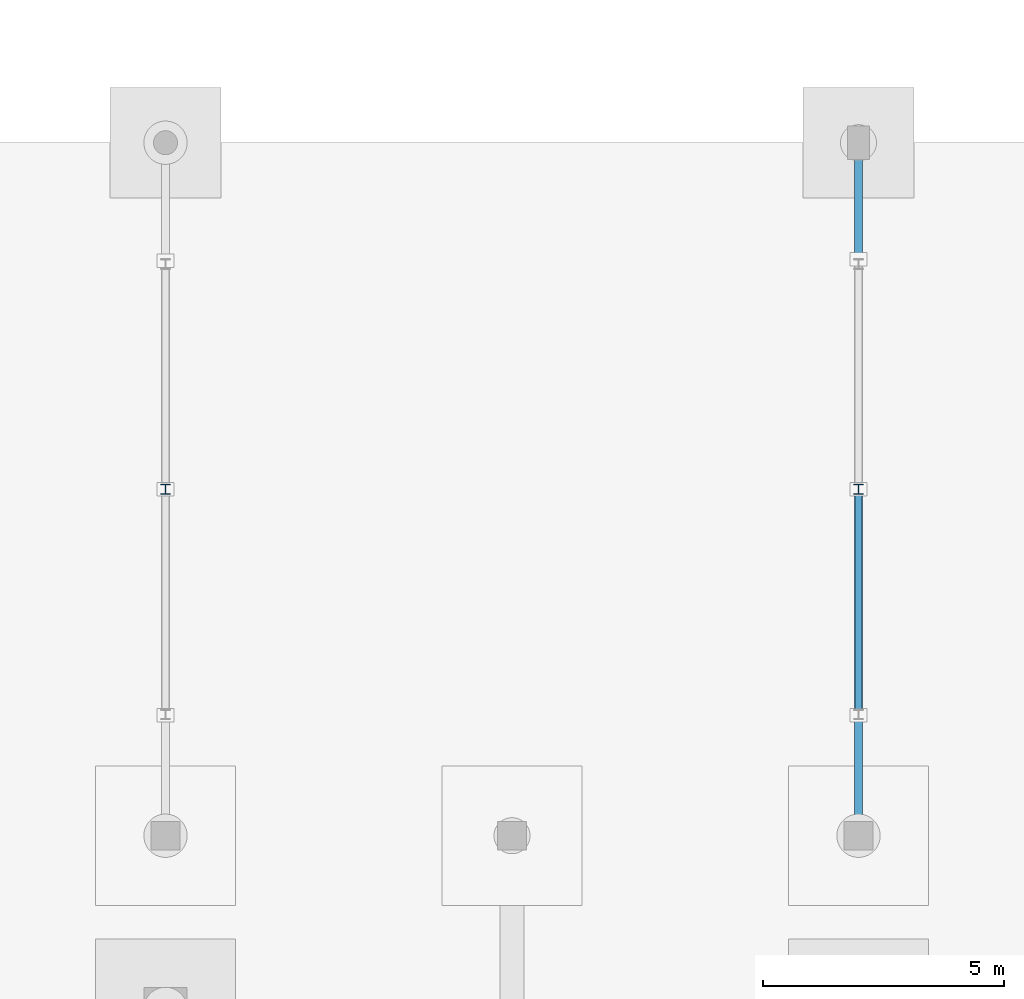
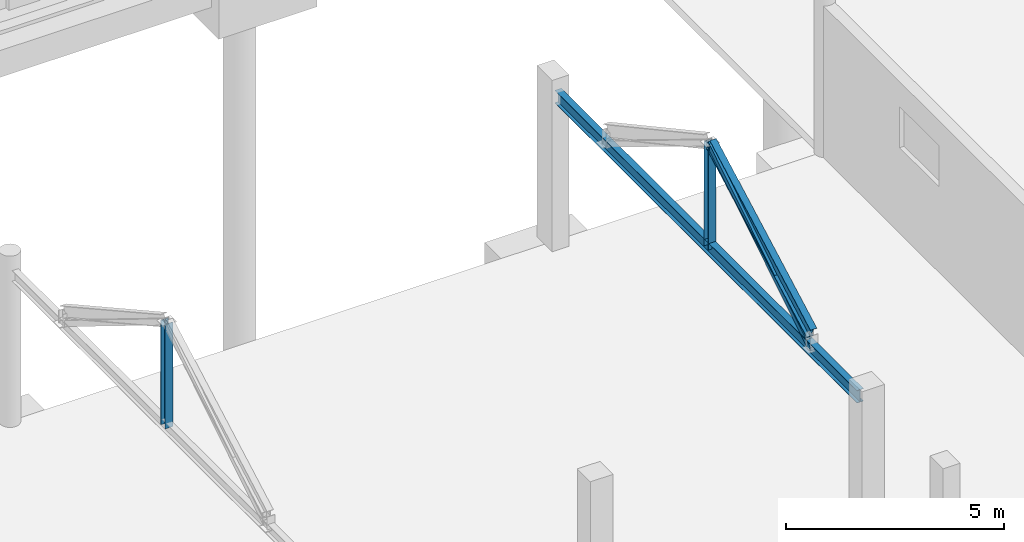
# One storey, part 122 of 285: 3 members, 2 beams.
"""IFC4 building model written with IfcOpenShell, lengths in metres."""

from ifc_helpers import new_model, si_unit, direction, frame, origin, origin_2d, place, context, subcontext, project, spatial, hollow_rectangle, i_section, extrude, material, material_profile, profile_set, type_object, element, save


model = new_model("IFC4")

# Units and contexts
model_context = context("Model", 3, precision=1e-05, world=origin(), true_north=direction((0.0, 1.0)))
body_context = subcontext(model_context, "Body", "Model", "MODEL_VIEW")
ifc_project = project(units=[si_unit("LENGTHUNIT", "METRE"), si_unit("AREAUNIT", "SQUARE_METRE"), si_unit("VOLUMEUNIT", "CUBIC_METRE"), si_unit("PLANEANGLEUNIT", "RADIAN"), si_unit("MASSUNIT", "GRAM", prefix="KILO")], contexts=[model_context])

# Site, building, storey
site_placement = place(None, origin())
site = spatial("IfcSite", under=ifc_project, at=site_placement, CompositionType="ELEMENT")
building_placement = place(site_placement, origin())
building = spatial("IfcBuilding", under=site, at=building_placement, Name="Solanera Park Tramway Depot", CompositionType="ELEMENT")
storey_placement = place(building_placement, origin())
storey = spatial("IfcBuildingStorey", under=building, at=storey_placement, Name="L00", CompositionType="ELEMENT", Elevation=0.0)

# Members
ifc_material_1 = material(Name="Steel AS/NZS 3679.1 Grade 350", Category="steel")
ifc_material_profile_1 = material_profile(ifc_material_1, i_section(OverallWidth=0.205078125, OverallDepth=0.209716796875, WebThickness=0.00927734375, FlangeThickness=0.01416015625, at=origin_2d()), Name="200UC59.5")
ifc_profile_set_1 = profile_set([ifc_material_profile_1], Name="Steel AS/NZS 3679.1 Grade 350")
member_type_1 = type_object("IfcMemberType", Name="Roof Gantry Compression Strut 200UC59.5", PredefinedType="STRUT", material=ifc_profile_set_1)
for number, where, z_axis, x_axis, name in (
    (1, (165.60009765625, 93.60009765625, 4.246337890625), (0.0, 0.0, 1.0), (1.0, 0.0, 0.0), "Hip ROOF TRUSS King Post #0169"),
    (2, (180.0, 93.60009765625, 4.22216796875), (0.0, 0.0, 1.0), (1.0, 0.0, 0.0), "Hip ROOF TRUSS King Post #0172"),
):
    element("IfcMember", number, at=place(storey_placement, frame(where, z_axis=z_axis, x_axis=x_axis)), inside=storey, type_object=member_type_1, Name=name, PredefinedType="STRUT", context=body_context, shape_type="SweptSolid", body=[
        extrude(i_section(OverallWidth=0.205078125, OverallDepth=0.209716796875, WebThickness=0.00927734375, FlangeThickness=0.01416015625, at=origin_2d()), origin(), (0.0, 0.0, 1.0), 2.9287109375),
    ])

# Beams
ifc_material_2 = material(Name="Steel AS/NZS 3679.1 Grade 350", Category="steel")
ifc_material_profile_2 = material_profile(ifc_material_2, i_section(OverallWidth=0.17138671875, OverallDepth=0.355712890625, WebThickness=0.00732421875, FlangeThickness=0.011474609375, at=origin_2d()), Name="360UB50.7")
ifc_profile_set_2 = profile_set([ifc_material_profile_2], Name="Steel AS/NZS 3679.1 Grade 350")
beam_type = type_object("IfcBeamType", Name="Steel Beam 360UB50.7", PredefinedType="BEAM", material=ifc_profile_set_2)
beam_1_placement = place(storey_placement, frame((180.0, 86.699951171875, 4.22216796875), z_axis=(0.0, 1.0, 0.0), x_axis=(-1.0, 0.0, 0.0)))
element("IfcBeam", 3, at=beam_1_placement, inside=storey, type_object=beam_type, Name="L00 Hip ROOF TRUSS Tie 360UB50.7 #1116", PredefinedType="BEAM", context=body_context, shape_type="SweptSolid", body=[
    extrude(i_section(OverallWidth=0.17138671875, OverallDepth=0.355712890625, WebThickness=0.00732421875, FlangeThickness=0.011474609375, at=origin_2d()), origin(), (0.0, 0.0, 1.0), 13.875),
])
beam_2_placement = place(storey_placement, frame((180.0, 88.919921875, 4.6376953125), z_axis=(0.0, 0.878444933441, 0.47784359252), x_axis=(-1.0, 0.0, 0.0)))
element("IfcBeam", 4, at=beam_2_placement, inside=storey, type_object=beam_type, Name="L00 Hip ROOF TRUSS Rafter 360UB50.7 #1117", PredefinedType="BEAM", context=body_context, shape_type="SweptSolid", body=[
    extrude(i_section(OverallWidth=0.17138671875, OverallDepth=0.355712890625, WebThickness=0.00732421875, FlangeThickness=0.011474609375, at=origin_2d()), origin(), (0.0, 0.0, 1.0), 5.259521484375),
])

# Member
ifc_material_3 = material(Name="Steel AS/NZS 1163 Grade C350L0", Category="steel")
ifc_material_profile_3 = material_profile(ifc_material_3, hollow_rectangle(XDim=0.14990234375, YDim=0.14990234375, WallThickness=0.006103515625, at=origin_2d()), Name="150x150x6.0 SHS")
ifc_profile_set_3 = profile_set([ifc_material_profile_3], Name="Steel AS/NZS 1163 Grade C350L0")
member_type_2 = type_object("IfcMemberType", Name="Truss and Frame Brace 150x150x6.0 SHS", PredefinedType="BRACE", material=ifc_profile_set_3)
member_placement = place(storey_placement, frame((180.0, 88.89990234375, 4.22216796875), z_axis=(0.0, 0.848720703534, 0.528841344255), x_axis=(-1.0, 0.0, 0.0)))
element("IfcMember", 5, at=member_placement, inside=storey, type_object=member_type_2, Name="Hip ROOF TRUSS Web #0485", PredefinedType="BRACE", context=body_context, shape_type="SweptSolid", body=[
    extrude(hollow_rectangle(XDim=0.14990234375, YDim=0.14990234375, WallThickness=0.006103515625, at=origin_2d()), origin(), (0.0, 0.0, 1.0), 5.5380859375),
])

save(model, "model.ifc")
